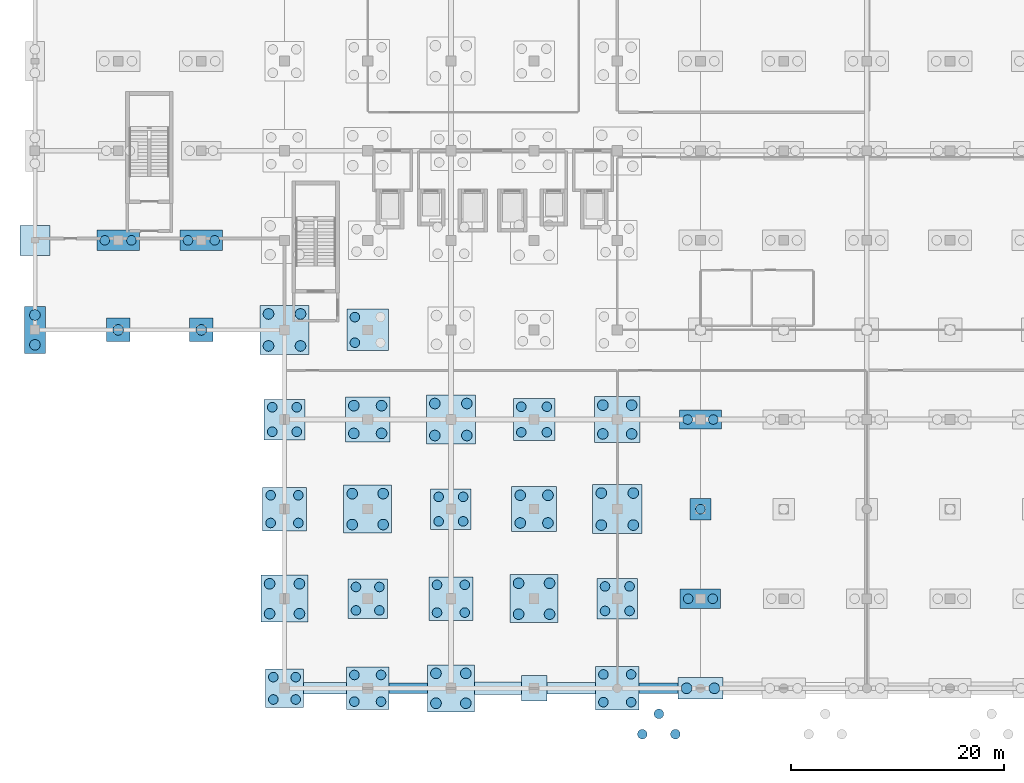
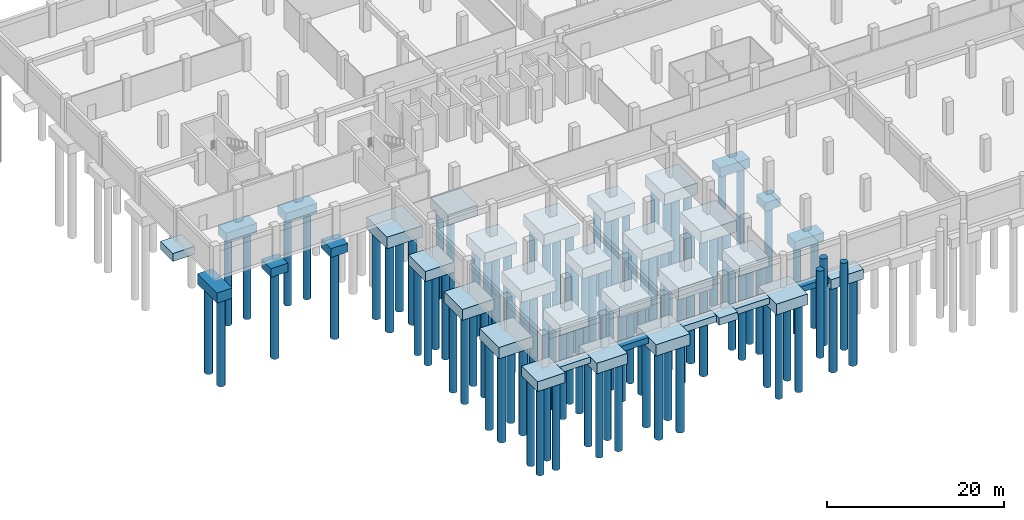
# One storey, part 1 of 30: 100 piles, 37 footings.
"""IFC4 building model written with IfcOpenShell, lengths in metres."""

from ifc_helpers import new_model, si_unit, direction, frame, origin, origin_2d, place, context, subcontext, project, spatial, rectangle, circle, extrude, material, layer, layer_set, material_profile, profile_set, type_object, element, save


model = new_model("IFC4")

# Units and contexts
model_context = context("Model", 3, precision=1e-05, world=origin(), true_north=direction((0.0, 1.0)))
body_context = subcontext(model_context, "Body", "Model", "MODEL_VIEW")
ifc_project = project(units=[si_unit("LENGTHUNIT", "METRE"), si_unit("AREAUNIT", "SQUARE_METRE"), si_unit("VOLUMEUNIT", "CUBIC_METRE"), si_unit("PLANEANGLEUNIT", "RADIAN"), si_unit("MASSUNIT", "GRAM", prefix="KILO"), si_unit("THERMODYNAMICTEMPERATUREUNIT", "KELVIN"), si_unit("POWERUNIT", "WATT")], contexts=[model_context])

# Site, building, storey
site_placement = place(None, origin())
site = spatial("IfcSite", under=ifc_project, at=site_placement, CompositionType="ELEMENT")
building_placement = place(site_placement, origin())
building = spatial("IfcBuilding", under=site, at=building_placement, Name="Srebrne Nadtorze General Hospital", CompositionType="ELEMENT")
storey_placement = place(building_placement, frame((0.0, 0.0, -4.5)))
storey = spatial("IfcBuildingStorey", under=building, at=storey_placement, Name="B1", CompositionType="ELEMENT", Elevation=-4.5)

# Piles
ifc_material_1 = material(Name="Concrete C35/45", Category="concrete")
ifc_material_profile_1 = material_profile(ifc_material_1, circle(Radius=0.5, at=origin_2d()), Name="PILE-D1000")
ifc_profile_set_1 = profile_set([ifc_material_profile_1], Name="Concrete C35/45")
pile_type_1 = type_object("IfcPileType", Name="Bored concrete pile D1000", PredefinedType="BORED", material=ifc_profile_set_1)
for number, where, z_axis, x_axis, name in (
    (1, (0.0, 32.199951171875, -2.0), (0.0, 0.0, -1.0), (1.0, 0.0, 0.0), "Bored pile PL-B1-0001"),
    (2, (0.0, 35.0, -2.0), (0.0, 0.0, -1.0), (1.0, 0.0, 0.0), "Bored pile PL-B1-0002"),
    (3, (7.800048828125, 33.60009765625, -1.800048828125), (0.0, 0.0, -1.0), (1.0, 0.0, 0.0), "Bored pile PL-B1-0011"),
    (4, (15.60009765625, 33.60009765625, -1.800048828125), (0.0, 0.0, -1.0), (1.0, 0.0, 0.0), "Bored pile PL-B1-0023"),
    (5, (22.0, 7.0, -2.14990234375), (0.0, 0.0, -1.0), (1.0, 0.0, 0.0), "Bored pile PL-B1-0039"),
    (6, (24.800048828125, 7.0, -2.14990234375), (0.0, 0.0, -1.0), (1.0, 0.0, 0.0), "Bored pile PL-B1-0040"),
    (7, (24.800048828125, 9.800048828125, -2.14990234375), (0.0, 0.0, -1.0), (1.0, 0.0, 0.0), "Bored pile PL-B1-0041"),
    (8, (22.0, 9.800048828125, -2.14990234375), (0.0, 0.0, -1.0), (1.0, 0.0, 0.0), "Bored pile PL-B1-0042"),
    (9, (21.89990234375, 32.10009765625, -2.199951171875), (0.0, 0.0, -1.0), (1.0, 0.0, 0.0), "Bored pile PL-B1-0051"),
    (10, (24.89990234375, 32.10009765625, -2.199951171875), (0.0, 0.0, -1.0), (1.0, 0.0, 0.0), "Bored pile PL-B1-0052"),
    (11, (24.89990234375, 35.10009765625, -2.199951171875), (0.0, 0.0, -1.0), (1.0, 0.0, 0.0), "Bored pile PL-B1-0053"),
    (12, (21.89990234375, 35.10009765625, -2.199951171875), (0.0, 0.0, -1.0), (1.0, 0.0, 0.0), "Bored pile PL-B1-0054"),
    (13, (29.75, 15.35009765625, -2.199951171875), (0.0, 0.0, -1.0), (1.0, 0.0, 0.0), "Bored pile PL-B1-0095"),
    (14, (32.64990234375, 15.35009765625, -2.199951171875), (0.0, 0.0, -1.0), (1.0, 0.0, 0.0), "Bored pile PL-B1-0096"),
    (15, (32.64990234375, 18.25, -2.199951171875), (0.0, 0.0, -1.0), (1.0, 0.0, 0.0), "Bored pile PL-B1-0097"),
    (16, (29.75, 18.25, -2.199951171875), (0.0, 0.0, -1.0), (1.0, 0.0, 0.0), "Bored pile PL-B1-0098"),
    (17, (29.89990234375, 23.89990234375, -2.10009765625), (0.0, 0.0, -1.0), (1.0, 0.0, 0.0), "Bored pile PL-B1-0099"),
    (18, (32.5, 23.89990234375, -2.10009765625), (0.0, 0.0, -1.0), (1.0, 0.0, 0.0), "Bored pile PL-B1-0100"),
    (19, (32.5, 26.5, -2.10009765625), (0.0, 0.0, -1.0), (1.0, 0.0, 0.0), "Bored pile PL-B1-0101"),
    (20, (29.89990234375, 26.5, -2.10009765625), (0.0, 0.0, -1.0), (1.0, 0.0, 0.0), "Bored pile PL-B1-0102"),
    (21, (37.60009765625, -1.39990234375, -2.14990234375), (0.0, 0.0, -1.0), (1.0, 0.0, 0.0), "Bored pile PL-B1-0141"),
    (22, (40.39990234375, -1.39990234375, -2.14990234375), (0.0, 0.0, -1.0), (1.0, 0.0, 0.0), "Bored pile PL-B1-0142"),
    (23, (40.39990234375, 1.39990234375, -2.14990234375), (0.0, 0.0, -1.0), (1.0, 0.0, 0.0), "Bored pile PL-B1-0143"),
    (24, (37.60009765625, 1.39990234375, -2.14990234375), (0.0, 0.0, -1.0), (1.0, 0.0, 0.0), "Bored pile PL-B1-0144"),
    (25, (37.5, 23.699951171875, -2.199951171875), (0.0, 0.0, -1.0), (1.0, 0.0, 0.0), "Bored pile PL-B1-0153"),
    (26, (40.5, 23.699951171875, -2.199951171875), (0.0, 0.0, -1.0), (1.0, 0.0, 0.0), "Bored pile PL-B1-0154"),
    (27, (40.5, 26.699951171875, -2.199951171875), (0.0, 0.0, -1.0), (1.0, 0.0, 0.0), "Bored pile PL-B1-0155"),
    (28, (37.5, 26.699951171875, -2.199951171875), (0.0, 0.0, -1.0), (1.0, 0.0, 0.0), "Bored pile PL-B1-0156"),
    (29, (45.35009765625, 6.949951171875, -2.199951171875), (0.0, 0.0, -1.0), (1.0, 0.0, 0.0), "Bored pile PL-B1-0195"),
    (30, (48.25, 6.949951171875, -2.199951171875), (0.0, 0.0, -1.0), (1.0, 0.0, 0.0), "Bored pile PL-B1-0196"),
    (31, (48.25, 9.85009765625, -2.199951171875), (0.0, 0.0, -1.0), (1.0, 0.0, 0.0), "Bored pile PL-B1-0197"),
    (32, (45.35009765625, 9.85009765625, -2.199951171875), (0.0, 0.0, -1.0), (1.0, 0.0, 0.0), "Bored pile PL-B1-0198"),
    (33, (45.5, 15.5, -2.10009765625), (0.0, 0.0, -1.0), (1.0, 0.0, 0.0), "Bored pile PL-B1-0199"),
    (34, (48.10009765625, 15.5, -2.10009765625), (0.0, 0.0, -1.0), (1.0, 0.0, 0.0), "Bored pile PL-B1-0200"),
    (35, (48.10009765625, 18.10009765625, -2.10009765625), (0.0, 0.0, -1.0), (1.0, 0.0, 0.0), "Bored pile PL-B1-0201"),
    (36, (45.5, 18.10009765625, -2.10009765625), (0.0, 0.0, -1.0), (1.0, 0.0, 0.0), "Bored pile PL-B1-0202"),
    (37, (53.10009765625, 15.300048828125, -2.199951171875), (0.0, 0.0, -1.0), (1.0, 0.0, 0.0), "Bored pile PL-B1-0253"),
    (38, (56.10009765625, 15.300048828125, -2.199951171875), (0.0, 0.0, -1.0), (1.0, 0.0, 0.0), "Bored pile PL-B1-0254"),
    (39, (56.10009765625, 18.300048828125, -2.199951171875), (0.0, 0.0, -1.0), (1.0, 0.0, 0.0), "Bored pile PL-B1-0255"),
    (40, (53.10009765625, 18.300048828125, -2.199951171875), (0.0, 0.0, -1.0), (1.0, 0.0, 0.0), "Bored pile PL-B1-0256"),
    (41, (53.25, 23.85009765625, -2.14990234375), (0.0, 0.0, -1.0), (1.0, 0.0, 0.0), "Bored pile PL-B1-0257"),
    (42, (55.949951171875, 23.85009765625, -2.14990234375), (0.0, 0.0, -1.0), (1.0, 0.0, 0.0), "Bored pile PL-B1-0258"),
    (43, (55.949951171875, 26.550048828125, -2.14990234375), (0.0, 0.0, -1.0), (1.0, 0.0, 0.0), "Bored pile PL-B1-0259"),
    (44, (53.25, 26.550048828125, -2.14990234375), (0.0, 0.0, -1.0), (1.0, 0.0, 0.0), "Bored pile PL-B1-0260"),
    (45, (61.10009765625, 0.0, -1.949951171875), (0.0, 0.0, -1.0), (1.0, 0.0, 0.0), "Bored pile PL-B1-0299"),
    (46, (63.699951171875, 0.0, -1.949951171875), (0.0, 0.0, -1.0), (1.0, 0.0, 0.0), "Bored pile PL-B1-0300"),
):
    element("IfcPile", number, at=place(storey_placement, frame(where, z_axis=z_axis, x_axis=x_axis)), inside=storey, type_object=pile_type_1, Name=name, PredefinedType="BORED", context=body_context, shape_type="SweptSolid", body=[
        extrude(circle(Radius=0.5, at=origin_2d()), origin(), (0.0, 0.0, 1.0), 12.0),
    ])
ifc_material_2 = material(Name="Concrete C35/45", Category="concrete")
ifc_material_profile_2 = material_profile(ifc_material_2, circle(Radius=0.449951171875, at=origin_2d()), Name="PILE-D900")
ifc_profile_set_2 = profile_set([ifc_material_profile_2], Name="Concrete C35/45")
pile_type_2 = type_object("IfcPileType", Name="Bored concrete pile D900", PredefinedType="BORED", material=ifc_profile_set_2)
for number, where, z_axis, x_axis, name in (
    (47, (6.550048828125, 42.0, -1.89990234375), (0.0, 0.0, -1.0), (1.0, 0.0, 0.0), "Bored pile PL-B1-0012"),
    (48, (9.050048828125, 42.0, -1.89990234375), (0.0, 0.0, -1.0), (1.0, 0.0, 0.0), "Bored pile PL-B1-0013"),
    (49, (14.35009765625, 42.0, -1.89990234375), (0.0, 0.0, -1.0), (1.0, 0.0, 0.0), "Bored pile PL-B1-0024"),
    (50, (16.85009765625, 42.0, -1.89990234375), (0.0, 0.0, -1.0), (1.0, 0.0, 0.0), "Bored pile PL-B1-0025"),
    (51, (22.35009765625, -1.050048828125, -1.949951171875), (0.0, 0.0, -1.0), (1.0, 0.0, 0.0), "Bored pile PL-B1-0035"),
    (52, (24.449951171875, -1.050048828125, -1.949951171875), (0.0, 0.0, -1.0), (1.0, 0.0, 0.0), "Bored pile PL-B1-0036"),
    (53, (24.449951171875, 1.050048828125, -1.949951171875), (0.0, 0.0, -1.0), (1.0, 0.0, 0.0), "Bored pile PL-B1-0037"),
    (54, (22.35009765625, 1.050048828125, -1.949951171875), (0.0, 0.0, -1.0), (1.0, 0.0, 0.0), "Bored pile PL-B1-0038"),
    (55, (22.10009765625, 15.5, -2.10009765625), (0.0, 0.0, -1.0), (1.0, 0.0, 0.0), "Bored pile PL-B1-0043"),
    (56, (24.699951171875, 15.5, -2.10009765625), (0.0, 0.0, -1.0), (1.0, 0.0, 0.0), "Bored pile PL-B1-0044"),
    (57, (24.699951171875, 18.10009765625, -2.10009765625), (0.0, 0.0, -1.0), (1.0, 0.0, 0.0), "Bored pile PL-B1-0045"),
    (58, (22.10009765625, 18.10009765625, -2.10009765625), (0.0, 0.0, -1.0), (1.0, 0.0, 0.0), "Bored pile PL-B1-0046"),
    (59, (22.25, 24.050048828125, -2.0), (0.0, 0.0, -1.0), (1.0, 0.0, 0.0), "Bored pile PL-B1-0047"),
    (60, (24.550048828125, 24.050048828125, -2.0), (0.0, 0.0, -1.0), (1.0, 0.0, 0.0), "Bored pile PL-B1-0048"),
    (61, (24.550048828125, 26.35009765625, -2.0), (0.0, 0.0, -1.0), (1.0, 0.0, 0.0), "Bored pile PL-B1-0049"),
    (62, (22.25, 26.35009765625, -2.0), (0.0, 0.0, -1.0), (1.0, 0.0, 0.0), "Bored pile PL-B1-0050"),
    (63, (29.949951171875, -1.25, -2.050048828125), (0.0, 0.0, -1.0), (1.0, 0.0, 0.0), "Bored pile PL-B1-0087"),
    (64, (32.449951171875, -1.25, -2.050048828125), (0.0, 0.0, -1.0), (1.0, 0.0, 0.0), "Bored pile PL-B1-0088"),
    (65, (32.449951171875, 1.25, -2.050048828125), (0.0, 0.0, -1.0), (1.0, 0.0, 0.0), "Bored pile PL-B1-0089"),
    (66, (29.949951171875, 1.25, -2.050048828125), (0.0, 0.0, -1.0), (1.0, 0.0, 0.0), "Bored pile PL-B1-0090"),
    (67, (30.10009765625, 7.300048828125, -2.0), (0.0, 0.0, -1.0), (1.0, 0.0, 0.0), "Bored pile PL-B1-0091"),
    (68, (32.300048828125, 7.300048828125, -2.0), (0.0, 0.0, -1.0), (1.0, 0.0, 0.0), "Bored pile PL-B1-0092"),
    (69, (32.300048828125, 9.5, -2.0), (0.0, 0.0, -1.0), (1.0, 0.0, 0.0), "Bored pile PL-B1-0093"),
    (70, (30.10009765625, 9.5, -2.0), (0.0, 0.0, -1.0), (1.0, 0.0, 0.0), "Bored pile PL-B1-0094"),
    (71, (30.0, 32.39990234375, -2.050048828125), (0.0, 0.0, -1.0), (1.0, 0.0, 0.0), "Bored pile PL-B1-0103"),
    (72, (30.0, 34.800048828125, -2.050048828125), (0.0, 0.0, -1.0), (1.0, 0.0, 0.0), "Bored pile PL-B1-0106"),
    (73, (37.699951171875, 7.10009765625, -2.10009765625), (0.0, 0.0, -1.0), (1.0, 0.0, 0.0), "Bored pile PL-B1-0145"),
    (74, (40.300048828125, 7.10009765625, -2.10009765625), (0.0, 0.0, -1.0), (1.0, 0.0, 0.0), "Bored pile PL-B1-0146"),
    (75, (40.300048828125, 9.699951171875, -2.10009765625), (0.0, 0.0, -1.0), (1.0, 0.0, 0.0), "Bored pile PL-B1-0147"),
    (76, (37.699951171875, 9.699951171875, -2.10009765625), (0.0, 0.0, -1.0), (1.0, 0.0, 0.0), "Bored pile PL-B1-0148"),
    (77, (37.85009765625, 15.64990234375, -2.0), (0.0, 0.0, -1.0), (1.0, 0.0, 0.0), "Bored pile PL-B1-0149"),
    (78, (40.14990234375, 15.64990234375, -2.0), (0.0, 0.0, -1.0), (1.0, 0.0, 0.0), "Bored pile PL-B1-0150"),
    (79, (40.14990234375, 17.949951171875, -2.0), (0.0, 0.0, -1.0), (1.0, 0.0, 0.0), "Bored pile PL-B1-0151"),
    (80, (37.85009765625, 17.949951171875, -2.0), (0.0, 0.0, -1.0), (1.0, 0.0, 0.0), "Bored pile PL-B1-0152"),
    (81, (45.60009765625, 24.0, -2.050048828125), (0.0, 0.0, -1.0), (1.0, 0.0, 0.0), "Bored pile PL-B1-0203"),
    (82, (48.0, 24.0, -2.050048828125), (0.0, 0.0, -1.0), (1.0, 0.0, 0.0), "Bored pile PL-B1-0204"),
    (83, (48.0, 26.39990234375, -2.050048828125), (0.0, 0.0, -1.0), (1.0, 0.0, 0.0), "Bored pile PL-B1-0205"),
    (84, (45.60009765625, 26.39990234375, -2.050048828125), (0.0, 0.0, -1.0), (1.0, 0.0, 0.0), "Bored pile PL-B1-0206"),
    (85, (53.300048828125, -1.300048828125, -2.10009765625), (0.0, 0.0, -1.0), (1.0, 0.0, 0.0), "Bored pile PL-B1-0245"),
    (86, (55.89990234375, -1.300048828125, -2.10009765625), (0.0, 0.0, -1.0), (1.0, 0.0, 0.0), "Bored pile PL-B1-0246"),
    (87, (55.89990234375, 1.300048828125, -2.10009765625), (0.0, 0.0, -1.0), (1.0, 0.0, 0.0), "Bored pile PL-B1-0247"),
    (88, (53.300048828125, 1.300048828125, -2.10009765625), (0.0, 0.0, -1.0), (1.0, 0.0, 0.0), "Bored pile PL-B1-0248"),
    (89, (53.449951171875, 7.25, -2.0), (0.0, 0.0, -1.0), (1.0, 0.0, 0.0), "Bored pile PL-B1-0249"),
    (90, (55.75, 7.25, -2.0), (0.0, 0.0, -1.0), (1.0, 0.0, 0.0), "Bored pile PL-B1-0250"),
    (91, (55.75, 9.550048828125, -2.0), (0.0, 0.0, -1.0), (1.0, 0.0, 0.0), "Bored pile PL-B1-0251"),
    (92, (53.449951171875, 9.550048828125, -2.0), (0.0, 0.0, -1.0), (1.0, 0.0, 0.0), "Bored pile PL-B1-0252"),
    (93, (61.25, 8.39990234375, -1.85009765625), (0.0, 0.0, -1.0), (1.0, 0.0, 0.0), "Bored pile PL-B1-0301"),
    (94, (63.550048828125, 8.39990234375, -1.85009765625), (0.0, 0.0, -1.0), (1.0, 0.0, 0.0), "Bored pile PL-B1-0302"),
    (95, (62.39990234375, 16.800048828125, -1.75), (0.0, 0.0, -1.0), (1.0, 0.0, 0.0), "Bored pile PL-B1-0303"),
    (96, (61.199951171875, 25.199951171875, -1.89990234375), (0.0, 0.0, -1.0), (1.0, 0.0, 0.0), "Bored pile PL-B1-0304"),
    (97, (63.60009765625, 25.199951171875, -1.89990234375), (0.0, 0.0, -1.0), (1.0, 0.0, 0.0), "Bored pile PL-B1-0305"),
    (98, (56.949951171875, -4.300048828125, 4.080078125), (0.0, 0.0, -1.0), (1.0, 0.0, 0.0), "Accessible ramp support pile 1 1"),
    (99, (60.050048828125, -4.300048828125, 4.080078125), (0.0, 0.0, -1.0), (1.0, 0.0, 0.0), "Accessible ramp support pile 1 2"),
    (100, (58.5, -2.39990234375, 4.080078125), (0.0, 0.0, -1.0), (1.0, 0.0, 0.0), "Accessible ramp support pile 1 3"),
):
    element("IfcPile", number, at=place(storey_placement, frame(where, z_axis=z_axis, x_axis=x_axis)), inside=storey, type_object=pile_type_2, Name=name, PredefinedType="BORED", context=body_context, shape_type="SweptSolid", body=[
        extrude(circle(Radius=0.449951171875, at=origin_2d()), origin(), (0.0, 0.0, 1.0), 12.0),
    ])

# Footings
ifc_material_3 = material(Name="Concrete C35/45", Category="concrete")
ifc_layer_1 = layer(ifc_material_3, 1.14990234375)
ifc_layer_set_1 = layer_set([ifc_layer_1], Name="Concrete C35/45")
footing_type_1 = type_object("IfcFootingType", Name="Bored pile cap 2000x2000x1150", PredefinedType="PILE_CAP", material=ifc_layer_set_1)
footing_1_placement = place(storey_placement, frame((62.39990234375, 16.800048828125, -1.75), z_axis=(0.0, 0.0, 1.0), x_axis=(1.0, 0.0, 0.0)))
element("IfcFooting", 101, at=footing_1_placement, inside=storey, type_object=footing_type_1, Name="Pile cap FT-B1-9-C", PredefinedType="PILE_CAP", context=body_context, shape_type="SweptSolid", body=[
    extrude(rectangle(XDim=2.0, YDim=2.0, at=origin_2d()), origin(), (0.0, 0.0, 1.0), 1.14990234375),
])
ifc_material_4 = material(Name="Concrete C35/45", Category="concrete")
ifc_layer_2 = layer(ifc_material_4, 1.39990234375)
ifc_layer_set_2 = layer_set([ifc_layer_2], Name="Concrete C35/45")
footing_type_2 = type_object("IfcFootingType", Name="Bored pile cap 2000x4400x1400", PredefinedType="PILE_CAP", material=ifc_layer_set_2)
footing_2_placement = place(storey_placement, frame((0.0, 33.60009765625, -2.0), z_axis=(0.0, 0.0, 1.0), x_axis=(1.0, 0.0, 0.0)))
element("IfcFooting", 102, at=footing_2_placement, inside=storey, type_object=footing_type_2, Name="Pile cap FT-B1-1-E", PredefinedType="PILE_CAP", context=body_context, shape_type="SweptSolid", body=[
    extrude(rectangle(XDim=2.0, YDim=4.39990234375, at=origin_2d()), origin(), (0.0, 0.0, 1.0), 1.39990234375),
])
ifc_material_5 = material(Name="Concrete C35/45", Category="concrete")
ifc_layer_3 = layer(ifc_material_5, 1.199951171875)
ifc_layer_set_3 = layer_set([ifc_layer_3], Name="Concrete C35/45")
footing_type_3 = type_object("IfcFootingType", Name="Bored pile cap 2200x2200x1200", PredefinedType="PILE_CAP", material=ifc_layer_set_3)
for number, where, z_axis, x_axis, name in (
    (103, (7.800048828125, 33.60009765625, -1.7998046875), (0.0, 0.0, 1.0), (1.0, 0.0, 0.0), "Pile cap FT-B1-2-E"),
    (104, (15.60009765625, 33.60009765625, -1.7998046875), (0.0, 0.0, 1.0), (1.0, 0.0, 0.0), "Pile cap FT-B1-3-E"),
):
    element("IfcFooting", number, at=place(storey_placement, frame(where, z_axis=z_axis, x_axis=x_axis)), inside=storey, type_object=footing_type_3, Name=name, PredefinedType="PILE_CAP", context=body_context, shape_type="SweptSolid", body=[
        extrude(rectangle(XDim=2.199951171875, YDim=2.199951171875, at=origin_2d()), origin(), (0.0, 0.0, 1.0), 1.199951171875),
    ])
ifc_material_6 = material(Name="Concrete C35/45", Category="concrete")
ifc_layer_4 = layer(ifc_material_6, 1.35009765625)
ifc_layer_set_4 = layer_set([ifc_layer_4], Name="Concrete C35/45")
footing_type_4 = type_object("IfcFootingType", Name="Bored pile cap 3600x3600x1350", PredefinedType="PILE_CAP", material=ifc_layer_set_4)
footing_3_placement = place(storey_placement, frame((23.39990234375, 0.0, -1.949951171875), z_axis=(0.0, 0.0, 1.0), x_axis=(1.0, 0.0, 0.0)))
element("IfcFooting", 105, at=footing_3_placement, inside=storey, type_object=footing_type_4, Name="Pile cap FT-B1-4-A", PredefinedType="PILE_CAP", context=body_context, shape_type="SweptSolid", body=[
    extrude(rectangle(XDim=3.60009765625, YDim=3.60009765625, at=origin_2d()), origin(), (0.0, 0.0, 1.0), 1.35009765625),
])
ifc_material_7 = material(Name="Concrete C35/45", Category="concrete")
ifc_layer_5 = layer(ifc_material_7, 1.39990234375)
ifc_layer_set_5 = layer_set([ifc_layer_5], Name="Concrete C35/45")
footing_type_5 = type_object("IfcFootingType", Name="Bored pile cap 3700x3700x1400", PredefinedType="PILE_CAP", material=ifc_layer_set_5)
footing_4_placement = place(storey_placement, frame((31.199951171875, 8.39990234375, -2.0), z_axis=(0.0, 0.0, 1.0), x_axis=(1.0, 0.0, 0.0)))
element("IfcFooting", 106, at=footing_4_placement, inside=storey, type_object=footing_type_5, Name="Pile cap FT-B1-5-B", PredefinedType="PILE_CAP", context=body_context, shape_type="SweptSolid", body=[
    extrude(rectangle(XDim=3.699951171875, YDim=3.699951171875, at=origin_2d()), origin(), (0.0, 0.0, 1.0), 1.39990234375),
])
ifc_material_8 = material(Name="Concrete C35/45", Category="concrete")
ifc_layer_6 = layer(ifc_material_8, 1.25)
ifc_layer_set_6 = layer_set([ifc_layer_6], Name="Concrete C35/45")
footing_type_6 = type_object("IfcFootingType", Name="Bored pile cap 3800x1800x1250", PredefinedType="PILE_CAP", material=ifc_layer_set_6)
footing_5_placement = place(storey_placement, frame((62.39990234375, 8.39990234375, -1.85009765625), z_axis=(0.0, 0.0, 1.0), x_axis=(1.0, 0.0, 0.0)))
element("IfcFooting", 107, at=footing_5_placement, inside=storey, type_object=footing_type_6, Name="Pile cap FT-B1-9-B", PredefinedType="PILE_CAP", context=body_context, shape_type="SweptSolid", body=[
    extrude(rectangle(XDim=3.800048828125, YDim=1.800048828125, at=origin_2d()), origin(), (0.0, 0.0, 1.0), 1.25),
])
ifc_material_9 = material(Name="Concrete C35/45", Category="concrete")
ifc_layer_7 = layer(ifc_material_9, 1.39990234375)
ifc_layer_set_7 = layer_set([ifc_layer_7], Name="Concrete C35/45")
footing_type_7 = type_object("IfcFootingType", Name="Bored pile cap 3800x3800x1400", PredefinedType="PILE_CAP", material=ifc_layer_set_7)
for number, where, z_axis, x_axis, name in (
    (108, (23.39990234375, 25.199951171875, -2.0), (0.0, 0.0, 1.0), (1.0, 0.0, 0.0), "Pile cap FT-B1-4-D"),
    (109, (39.0, 16.800048828125, -2.0), (0.0, 0.0, 1.0), (1.0, 0.0, 0.0), "Pile cap FT-B1-6-C"),
    (110, (54.60009765625, 8.39990234375, -2.0), (0.0, 0.0, 1.0), (1.0, 0.0, 0.0), "Pile cap FT-B1-8-B"),
):
    element("IfcFooting", number, at=place(storey_placement, frame(where, z_axis=z_axis, x_axis=x_axis)), inside=storey, type_object=footing_type_7, Name=name, PredefinedType="PILE_CAP", context=body_context, shape_type="SweptSolid", body=[
        extrude(rectangle(XDim=3.800048828125, YDim=3.800048828125, at=origin_2d()), origin(), (0.0, 0.0, 1.0), 1.39990234375),
    ])
ifc_material_10 = material(Name="Concrete C35/45", Category="concrete")
ifc_layer_8 = layer(ifc_material_10, 1.300048828125)
ifc_layer_set_8 = layer_set([ifc_layer_8], Name="Concrete C35/45")
footing_type_8 = type_object("IfcFootingType", Name="Bored pile cap 3900x1800x1300", PredefinedType="PILE_CAP", material=ifc_layer_set_8)
footing_6_placement = place(storey_placement, frame((62.39990234375, 25.199951171875, -1.89990234375), z_axis=(0.0, 0.0, 1.0), x_axis=(1.0, 0.0, 0.0)))
element("IfcFooting", 111, at=footing_6_placement, inside=storey, type_object=footing_type_8, Name="Pile cap FT-B1-9-D", PredefinedType="PILE_CAP", context=body_context, shape_type="SweptSolid", body=[
    extrude(rectangle(XDim=3.89990234375, YDim=1.800048828125, at=origin_2d()), origin(), (0.0, 0.0, 1.0), 1.300048828125),
])
ifc_material_11 = material(Name="Concrete C35/45", Category="concrete")
ifc_layer_9 = layer(ifc_material_11, 1.449951171875)
ifc_layer_set_9 = layer_set([ifc_layer_9], Name="Concrete C35/45")
footing_type_9 = type_object("IfcFootingType", Name="Bored pile cap 3900x3900x1450", PredefinedType="PILE_CAP", material=ifc_layer_set_9)
for number, where, z_axis, x_axis, name in (
    (112, (31.199951171875, 33.60009765625, -2.0498046875), (0.0, 0.0, 1.0), (1.0, 0.0, 0.0), "Pile cap FT-B1-5-E"),
    (113, (46.800048828125, 25.199951171875, -2.0498046875), (0.0, 0.0, 1.0), (1.0, 0.0, 0.0), "Pile cap FT-B1-7-D"),
):
    element("IfcFooting", number, at=place(storey_placement, frame(where, z_axis=z_axis, x_axis=x_axis)), inside=storey, type_object=footing_type_9, Name=name, PredefinedType="PILE_CAP", context=body_context, shape_type="SweptSolid", body=[
        extrude(rectangle(XDim=3.89990234375, YDim=3.89990234375, at=origin_2d()), origin(), (0.0, 0.0, 1.0), 1.449951171875),
    ])
ifc_material_12 = material(Name="Concrete C35/45", Category="concrete")
ifc_layer_10 = layer(ifc_material_12, 1.300048828125)
ifc_layer_set_10 = layer_set([ifc_layer_10], Name="Concrete C35/45")
footing_type_10 = type_object("IfcFootingType", Name="Bored pile cap 4000x1900x1300", PredefinedType="PILE_CAP", material=ifc_layer_set_10)
for number, where, z_axis, x_axis, name in (
    (114, (7.800048828125, 42.0, -1.89990234375), (0.0, 0.0, 1.0), (1.0, 0.0, 0.0), "Pile cap FT-B1-2-F"),
    (115, (15.60009765625, 42.0, -1.89990234375), (0.0, 0.0, 1.0), (1.0, 0.0, 0.0), "Pile cap FT-B1-3-F"),
):
    element("IfcFooting", number, at=place(storey_placement, frame(where, z_axis=z_axis, x_axis=x_axis)), inside=storey, type_object=footing_type_10, Name=name, PredefinedType="PILE_CAP", context=body_context, shape_type="SweptSolid", body=[
        extrude(rectangle(XDim=4.0, YDim=1.89990234375, at=origin_2d()), origin(), (0.0, 0.0, 1.0), 1.300048828125),
    ])
ifc_material_13 = material(Name="Concrete C35/45", Category="concrete")
ifc_layer_11 = layer(ifc_material_13, 1.449951171875)
ifc_layer_set_11 = layer_set([ifc_layer_11], Name="Concrete C35/45")
footing_type_11 = type_object("IfcFootingType", Name="Bored pile cap 4000x4000x1450", PredefinedType="PILE_CAP", material=ifc_layer_set_11)
footing_7_placement = place(storey_placement, frame((31.199951171875, 0.0, -2.0498046875), z_axis=(0.0, 0.0, 1.0), x_axis=(1.0, 0.0, 0.0)))
element("IfcFooting", 116, at=footing_7_placement, inside=storey, type_object=footing_type_11, Name="Pile cap FT-B1-5-A", PredefinedType="PILE_CAP", context=body_context, shape_type="SweptSolid", body=[
    extrude(rectangle(XDim=4.0, YDim=4.0, at=origin_2d()), origin(), (0.0, 0.0, 1.0), 1.449951171875),
])
ifc_material_14 = material(Name="Concrete C35/45", Category="concrete")
ifc_layer_12 = layer(ifc_material_14, 1.5)
ifc_layer_set_12 = layer_set([ifc_layer_12], Name="Concrete C35/45")
footing_type_12 = type_object("IfcFootingType", Name="Bored pile cap 4100x4100x1500", PredefinedType="PILE_CAP", material=ifc_layer_set_12)
for number, where, z_axis, x_axis, name in (
    (117, (23.39990234375, 16.800048828125, -2.10009765625), (0.0, 0.0, 1.0), (1.0, 0.0, 0.0), "Pile cap FT-B1-4-C"),
    (118, (39.0, 8.39990234375, -2.10009765625), (0.0, 0.0, 1.0), (1.0, 0.0, 0.0), "Pile cap FT-B1-6-B"),
    (119, (54.60009765625, 0.0, -2.10009765625), (0.0, 0.0, 1.0), (1.0, 0.0, 0.0), "Pile cap FT-B1-8-A"),
):
    element("IfcFooting", number, at=place(storey_placement, frame(where, z_axis=z_axis, x_axis=x_axis)), inside=storey, type_object=footing_type_12, Name=name, PredefinedType="PILE_CAP", context=body_context, shape_type="SweptSolid", body=[
        extrude(rectangle(XDim=4.10009765625, YDim=4.10009765625, at=origin_2d()), origin(), (0.0, 0.0, 1.0), 1.5),
    ])
ifc_material_15 = material(Name="Concrete C35/45", Category="concrete")
ifc_layer_13 = layer(ifc_material_15, 1.35009765625)
ifc_layer_set_13 = layer_set([ifc_layer_13], Name="Concrete C35/45")
footing_type_13 = type_object("IfcFootingType", Name="Bored pile cap 4200x2000x1350", PredefinedType="PILE_CAP", material=ifc_layer_set_13)
footing_8_placement = place(storey_placement, frame((62.39990234375, 0.0, -1.949951171875), z_axis=(0.0, 0.0, 1.0), x_axis=(1.0, 0.0, 0.0)))
element("IfcFooting", 120, at=footing_8_placement, inside=storey, type_object=footing_type_13, Name="Pile cap FT-B1-9-A", PredefinedType="PILE_CAP", context=body_context, shape_type="SweptSolid", body=[
    extrude(rectangle(XDim=4.199951171875, YDim=2.0, at=origin_2d()), origin(), (0.0, 0.0, 1.0), 1.35009765625),
])
ifc_material_16 = material(Name="Concrete C35/45", Category="concrete")
ifc_layer_14 = layer(ifc_material_16, 1.5)
ifc_layer_set_14 = layer_set([ifc_layer_14], Name="Concrete C35/45")
footing_type_14 = type_object("IfcFootingType", Name="Bored pile cap 4200x4200x1500", PredefinedType="PILE_CAP", material=ifc_layer_set_14)
for number, where, z_axis, x_axis, name in (
    (121, (31.199951171875, 25.199951171875, -2.10009765625), (0.0, 0.0, 1.0), (1.0, 0.0, 0.0), "Pile cap FT-B1-5-D"),
    (122, (46.800048828125, 16.800048828125, -2.10009765625), (0.0, 0.0, 1.0), (1.0, 0.0, 0.0), "Pile cap FT-B1-7-C"),
):
    element("IfcFooting", number, at=place(storey_placement, frame(where, z_axis=z_axis, x_axis=x_axis)), inside=storey, type_object=footing_type_14, Name=name, PredefinedType="PILE_CAP", context=body_context, shape_type="SweptSolid", body=[
        extrude(rectangle(XDim=4.199951171875, YDim=4.199951171875, at=origin_2d()), origin(), (0.0, 0.0, 1.0), 1.5),
    ])
ifc_material_17 = material(Name="Concrete C35/45", Category="concrete")
ifc_layer_15 = layer(ifc_material_17, 1.550048828125)
ifc_layer_set_15 = layer_set([ifc_layer_15], Name="Concrete C35/45")
footing_type_15 = type_object("IfcFootingType", Name="Bored pile cap 4300x4300x1550", PredefinedType="PILE_CAP", material=ifc_layer_set_15)
footing_9_placement = place(storey_placement, frame((54.60009765625, 25.199951171875, -2.14990234375), z_axis=(0.0, 0.0, 1.0), x_axis=(1.0, 0.0, 0.0)))
element("IfcFooting", 123, at=footing_9_placement, inside=storey, type_object=footing_type_15, Name="Pile cap FT-B1-8-D", PredefinedType="PILE_CAP", context=body_context, shape_type="SweptSolid", body=[
    extrude(rectangle(XDim=4.300048828125, YDim=4.300048828125, at=origin_2d()), origin(), (0.0, 0.0, 1.0), 1.550048828125),
])
ifc_material_18 = material(Name="Concrete C35/45", Category="concrete")
ifc_layer_16 = layer(ifc_material_18, 1.550048828125)
ifc_layer_set_16 = layer_set([ifc_layer_16], Name="Concrete C35/45")
footing_type_16 = type_object("IfcFootingType", Name="Bored pile cap 4400x4400x1550", PredefinedType="PILE_CAP", material=ifc_layer_set_16)
for number, where, z_axis, x_axis, name in (
    (124, (23.39990234375, 8.39990234375, -2.14990234375), (0.0, 0.0, 1.0), (1.0, 0.0, 0.0), "Pile cap FT-B1-4-B"),
    (125, (39.0, 0.0, -2.14990234375), (0.0, 0.0, 1.0), (1.0, 0.0, 0.0), "Pile cap FT-B1-6-A"),
):
    element("IfcFooting", number, at=place(storey_placement, frame(where, z_axis=z_axis, x_axis=x_axis)), inside=storey, type_object=footing_type_16, Name=name, PredefinedType="PILE_CAP", context=body_context, shape_type="SweptSolid", body=[
        extrude(rectangle(XDim=4.39990234375, YDim=4.39990234375, at=origin_2d()), origin(), (0.0, 0.0, 1.0), 1.550048828125),
    ])
ifc_material_19 = material(Name="Concrete C35/45", Category="concrete")
ifc_layer_17 = layer(ifc_material_19, 1.60009765625)
ifc_layer_set_17 = layer_set([ifc_layer_17], Name="Concrete C35/45")
footing_type_17 = type_object("IfcFootingType", Name="Bored pile cap 4500x4500x1600", PredefinedType="PILE_CAP", material=ifc_layer_set_17)
for number, where, z_axis, x_axis, name in (
    (126, (31.199951171875, 16.800048828125, -2.199951171875), (0.0, 0.0, 1.0), (1.0, 0.0, 0.0), "Pile cap FT-B1-5-C"),
    (127, (46.800048828125, 8.39990234375, -2.199951171875), (0.0, 0.0, 1.0), (1.0, 0.0, 0.0), "Pile cap FT-B1-7-B"),
):
    element("IfcFooting", number, at=place(storey_placement, frame(where, z_axis=z_axis, x_axis=x_axis)), inside=storey, type_object=footing_type_17, Name=name, PredefinedType="PILE_CAP", context=body_context, shape_type="SweptSolid", body=[
        extrude(rectangle(XDim=4.5, YDim=4.5, at=origin_2d()), origin(), (0.0, 0.0, 1.0), 1.60009765625),
    ])
ifc_material_20 = material(Name="Concrete C35/45", Category="concrete")
ifc_layer_18 = layer(ifc_material_20, 1.60009765625)
ifc_layer_set_18 = layer_set([ifc_layer_18], Name="Concrete C35/45")
footing_type_18 = type_object("IfcFootingType", Name="Bored pile cap 4600x4600x1600", PredefinedType="PILE_CAP", material=ifc_layer_set_18)
for number, where, z_axis, x_axis, name in (
    (128, (23.39990234375, 33.60009765625, -2.199951171875), (0.0, 0.0, 1.0), (1.0, 0.0, 0.0), "Pile cap FT-B1-4-E"),
    (129, (39.0, 25.199951171875, -2.199951171875), (0.0, 0.0, 1.0), (1.0, 0.0, 0.0), "Pile cap FT-B1-6-D"),
    (130, (54.60009765625, 16.800048828125, -2.199951171875), (0.0, 0.0, 1.0), (1.0, 0.0, 0.0), "Pile cap FT-B1-8-C"),
):
    element("IfcFooting", number, at=place(storey_placement, frame(where, z_axis=z_axis, x_axis=x_axis)), inside=storey, type_object=footing_type_18, Name=name, PredefinedType="PILE_CAP", context=body_context, shape_type="SweptSolid", body=[
        extrude(rectangle(XDim=4.60009765625, YDim=4.60009765625, at=origin_2d()), origin(), (0.0, 0.0, 1.0), 1.60009765625),
    ])
ifc_material_21 = material(Name="Concrete C35/45", Category="concrete")
ifc_layer_19 = layer(ifc_material_21, 1.0)
ifc_layer_set_19 = layer_set([ifc_layer_19], Name="Concrete C35/45")
footing_type_19 = type_object("IfcFootingType", Name="Isolated pad footing 2400x2400x1000", PredefinedType="PAD_FOOTING", material=ifc_layer_set_19)
footing_10_placement = place(storey_placement, frame((46.800048828125, 0.0, -1.60009765625), z_axis=(0.0, 0.0, 1.0), x_axis=(1.0, 0.0, 0.0)))
element("IfcFooting", 131, at=footing_10_placement, inside=storey, type_object=footing_type_19, Name="Pad footing FT-B1-7-A", PredefinedType="PAD_FOOTING", context=body_context, shape_type="SweptSolid", body=[
    extrude(rectangle(XDim=2.39990234375, YDim=2.39990234375, at=origin_2d()), origin(), (0.0, 0.0, 1.0), 1.0),
])
ifc_material_22 = material(Name="Concrete C35/45", Category="concrete")
ifc_layer_20 = layer(ifc_material_22, 1.10009765625)
ifc_layer_set_20 = layer_set([ifc_layer_20], Name="Concrete C35/45")
footing_type_20 = type_object("IfcFootingType", Name="Isolated pad footing 2800x2800x1100", PredefinedType="PAD_FOOTING", material=ifc_layer_set_20)
footing_11_placement = place(storey_placement, frame((0.0, 42.0, -1.699951171875), z_axis=(0.0, 0.0, 1.0), x_axis=(1.0, 0.0, 0.0)))
element("IfcFooting", 132, at=footing_11_placement, inside=storey, type_object=footing_type_20, Name="Pad footing FT-B1-1-F", PredefinedType="PAD_FOOTING", context=body_context, shape_type="SweptSolid", body=[
    extrude(rectangle(XDim=2.800048828125, YDim=2.800048828125, at=origin_2d()), origin(), (0.0, 0.0, 1.0), 1.10009765625),
])
ifc_material_23 = material(Name="Concrete C35/45", Category="concrete")
ifc_layer_21 = layer(ifc_material_23, 0.800048828125)
ifc_layer_set_21 = layer_set([ifc_layer_21], Name="Concrete C35/45")
footing_type_21 = type_object("IfcFootingType", Name="Wall strip footing 1000x800", PredefinedType="STRIP_FOOTING", material=ifc_layer_set_21)
footing_12_placement = place(storey_placement, frame((35.0, 0.0, -1.39990234375), z_axis=(0.0, 0.0, 1.0), x_axis=(1.0, 0.0, 0.0)))
element("IfcFooting", 133, at=footing_12_placement, inside=storey, type_object=footing_type_21, Name="Wall strip footing SF-B1-03", PredefinedType="STRIP_FOOTING", context=body_context, shape_type="SweptSolid", body=[
    extrude(rectangle(XDim=3.60009765625, YDim=1.0, at=origin_2d()), origin(), (0.0, 0.0, 1.0), 0.800048828125),
])
footing_13_placement = place(storey_placement, frame((58.47509765625, 0.0, -1.39990234375), z_axis=(0.0, 0.0, 1.0), x_axis=(1.0, 0.0, 0.0)))
element("IfcFooting", 134, at=footing_13_placement, inside=storey, type_object=footing_type_21, Name="Wall strip footing SF-B1-09", PredefinedType="STRIP_FOOTING", context=body_context, shape_type="SweptSolid", body=[
    extrude(rectangle(XDim=3.64990234375, YDim=1.0, at=origin_2d()), origin(), (0.0, 0.0, 1.0), 0.800048828125),
])
ifc_material_24 = material(Name="Concrete C35/45", Category="concrete")
ifc_layer_22 = layer(ifc_material_24, 0.85009765625)
ifc_layer_set_22 = layer_set([ifc_layer_22], Name="Concrete C35/45")
footing_type_22 = type_object("IfcFootingType", Name="Wall strip footing 1100x850", PredefinedType="STRIP_FOOTING", material=ifc_layer_set_22)
footing_14_placement = place(storey_placement, frame((27.199951171875, 0.0, -1.449951171875), z_axis=(0.0, 0.0, 1.0), x_axis=(1.0, 0.0, 0.0)))
element("IfcFooting", 135, at=footing_14_placement, inside=storey, type_object=footing_type_22, Name="Wall strip footing SF-B1-01", PredefinedType="STRIP_FOOTING", context=body_context, shape_type="SweptSolid", body=[
    extrude(rectangle(XDim=4.0, YDim=1.10009765625, at=origin_2d()), origin(), (0.0, 0.0, 1.0), 0.85009765625),
])
footing_15_placement = place(storey_placement, frame((50.27490234375, 0.0, -1.449951171875), z_axis=(0.0, 0.0, 1.0), x_axis=(1.0, 0.0, 0.0)))
element("IfcFooting", 136, at=footing_15_placement, inside=storey, type_object=footing_type_22, Name="Wall strip footing SF-B1-07", PredefinedType="STRIP_FOOTING", context=body_context, shape_type="SweptSolid", body=[
    extrude(rectangle(XDim=4.550048828125, YDim=1.10009765625, at=origin_2d()), origin(), (0.0, 0.0, 1.0), 0.85009765625),
])
ifc_material_25 = material(Name="Concrete C35/45", Category="concrete")
ifc_layer_23 = layer(ifc_material_25, 0.89990234375)
ifc_layer_set_23 = layer_set([ifc_layer_23], Name="Concrete C35/45")
footing_type_23 = type_object("IfcFootingType", Name="Wall strip footing 1150x900", PredefinedType="STRIP_FOOTING", material=ifc_layer_set_23)
footing_16_placement = place(storey_placement, frame((43.39990234375, 0.0, -1.5), z_axis=(0.0, 0.0, 1.0), x_axis=(1.0, 0.0, 0.0)))
element("IfcFooting", 137, at=footing_16_placement, inside=storey, type_object=footing_type_23, Name="Wall strip footing SF-B1-05", PredefinedType="STRIP_FOOTING", context=body_context, shape_type="SweptSolid", body=[
    extrude(rectangle(XDim=4.39990234375, YDim=1.14990234375, at=origin_2d()), origin(), (0.0, 0.0, 1.0), 0.89990234375),
])

save(model, "model.ifc")
